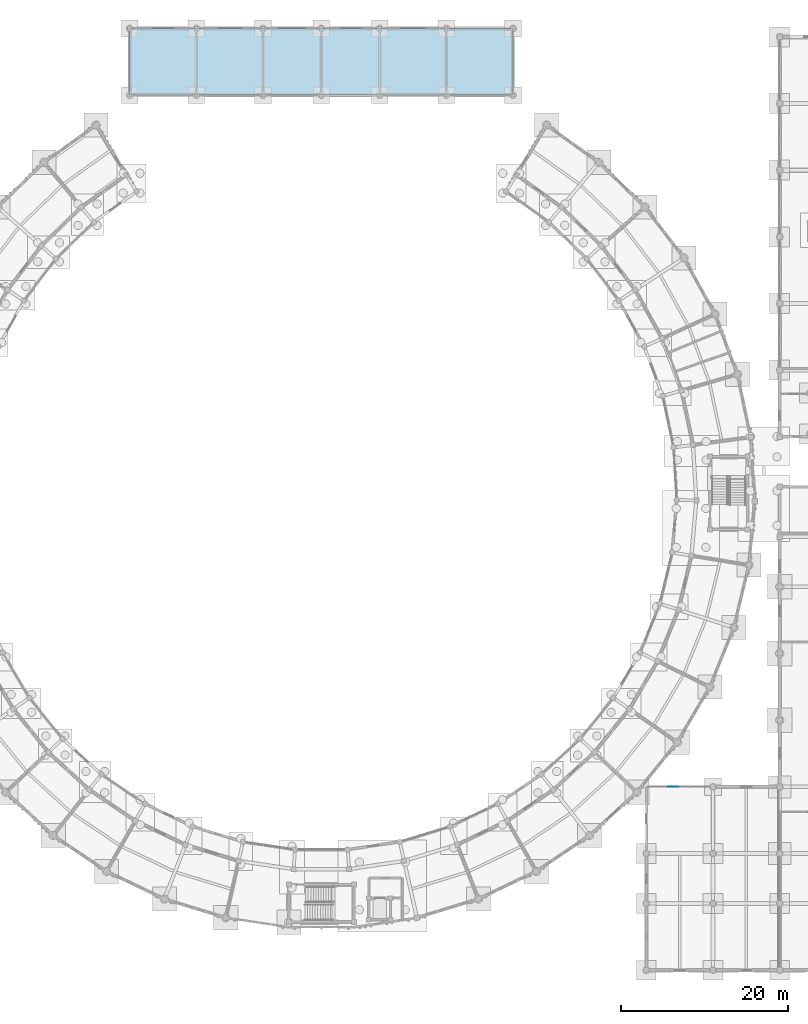
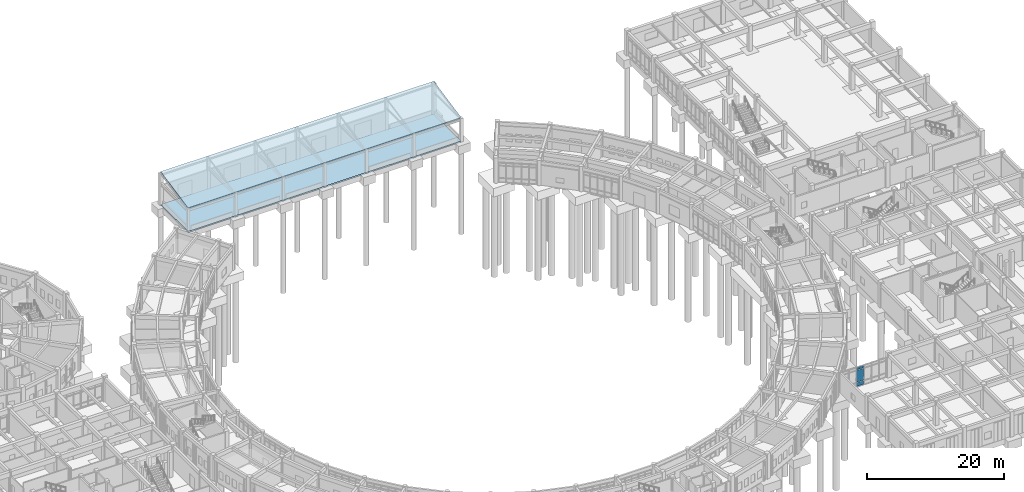
# One storey, part 111 of 153: 3 plates, 2 slabs, 1 element without a shape of its own.
"""IFC4 building model written with IfcOpenShell, lengths in metres."""

from ifc_helpers import new_model, si_unit, direction, frame, origin, origin_2d, place, context, subcontext, project, spatial, polyline, rectangle, outline, extrude, material, layer, layer_set, type_object, element, aggregate, save


model = new_model("IFC4")

# Units and contexts
model_context = context("Model", 3, precision=1e-05, world=origin(), true_north=direction((0.0, 1.0)))
body_context = subcontext(model_context, "Body", "Model", "MODEL_VIEW")
ifc_project = project(units=[si_unit("LENGTHUNIT", "METRE"), si_unit("AREAUNIT", "SQUARE_METRE"), si_unit("VOLUMEUNIT", "CUBIC_METRE"), si_unit("PLANEANGLEUNIT", "RADIAN"), si_unit("MASSUNIT", "GRAM", prefix="KILO")], contexts=[model_context])

# Site, building, storey
site_placement = place(None, origin())
site = spatial("IfcSite", under=ifc_project, at=site_placement, CompositionType="ELEMENT")
building_placement = place(site_placement, origin())
building = spatial("IfcBuilding", under=site, at=building_placement, Name="Celadon Cloister-Ring School", CompositionType="ELEMENT")
storey_placement = place(building_placement, origin())
storey = spatial("IfcBuildingStorey", under=building, at=storey_placement, Name="L00", CompositionType="ELEMENT", Elevation=0.0)

# Curtain wall, plates
ifc_material_1 = material(Name="Aluminium EN AW-6063 T6", Category="aluminium")
curtain_wall_type = type_object("IfcCurtainWallType", Name="CW-10", PredefinedType="USERDEFINED", material=ifc_material_1)
curtain_wall_placement = place(storey_placement, origin())
curtain_wall = element("IfcCurtainWall", 1, at=curtain_wall_placement, inside=storey, type_object=curtain_wall_type, Name="Curtain Wall 0189", ObjectType="CURTAIN WALL", PredefinedType="USERDEFINED")
ifc_material_2 = material(Name="Tempered laminated insulating glass", Category="glass")
ifc_layer_1 = layer(ifc_material_2, 0.02001953125)
ifc_layer_set_1 = layer_set([ifc_layer_1], Name="Tempered laminated insulating glass")
plate_type = type_object("IfcPlateType", Name="CPN-01", PredefinedType="CURTAIN_PANEL", material=ifc_layer_set_1)
plate_1_placement = place(storey_placement, frame((129.23291015625, 24.0, 0.090087890625), z_axis=(0.0, 0.0, 1.0), x_axis=(1.0, 0.0, 0.0)))
plate_1 = element("IfcPlate", 2, at=plate_1_placement, type_object=plate_type, Name="CW-10 panel 3.1", PredefinedType="CURTAIN_PANEL", context=body_context, shape_type="SweptSolid", body=[
    extrude(rectangle(XDim=1.174072265625, YDim=0.02001953125, at=origin_2d()), origin(), (0.0, 0.0, 1.0), 0.6650390625),
])
plate_2_placement = place(storey_placement, frame((129.23291015625, 24.0, 0.8447265625), z_axis=(0.0, 0.0, 1.0), x_axis=(1.0, 0.0, 0.0)))
plate_2 = element("IfcPlate", 3, at=plate_2_placement, type_object=plate_type, Name="CW-10 panel 3.2", PredefinedType="CURTAIN_PANEL", context=body_context, shape_type="SweptSolid", body=[
    extrude(rectangle(XDim=1.174072265625, YDim=0.02001953125, at=origin_2d()), origin(), (0.0, 0.0, 1.0), 2.110107421875),
])
plate_3_placement = place(storey_placement, frame((129.23291015625, 24.0, 3.044921875), z_axis=(0.0, 0.0, 1.0), x_axis=(1.0, 0.0, 0.0)))
plate_3 = element("IfcPlate", 4, at=plate_3_placement, type_object=plate_type, Name="CW-10 panel 3.3", PredefinedType="CURTAIN_PANEL", context=body_context, shape_type="SweptSolid", body=[
    extrude(rectangle(XDim=1.174072265625, YDim=0.02001953125, at=origin_2d()), origin(), (0.0, 0.0, 1.0), 0.4150390625),
])
aggregate(curtain_wall, [plate_1, plate_2, plate_3])

# Slabs
ifc_material_3 = material(Name="Concrete C35/45", Category="concrete")
ifc_layer_2 = layer(ifc_material_3, 0.239990234375)
ifc_layer_set_2 = layer_set([ifc_layer_2], Name="Concrete C35/45")
slab_type_1 = type_object("IfcSlabType", Name="SL-BSX", PredefinedType="BASESLAB", material=ifc_layer_set_2)
slab_1_placement = place(storey_placement, frame((0.0, 0.0, -0.239990234375)))
element("IfcSlab", 5, at=slab_1_placement, inside=storey, type_object=slab_type_1, Name="North Zaguan Street Arcade Slab 0078", PredefinedType="BASESLAB", context=body_context, shape_type="SweptSolid", body=[
    extrude(outline(polyline([(64.0, 107.0), (110.0, 107.0), (110.0, 115.0), (64.0, 115.0), (64.0, 107.0)])), origin(), (0.0, 0.0, 1.0), 0.239990234375),
])
ifc_material_4 = material(Name="Concrete C35/45", Category="concrete")
ifc_layer_3 = layer(ifc_material_4, 0.159912109375)
ifc_layer_set_3 = layer_set([ifc_layer_3], Name="Concrete C35/45")
slab_type_2 = type_object("IfcSlabType", Name="SL-RF4", PredefinedType="ROOF", material=ifc_layer_set_3)
slab_2_placement = place(storey_placement, frame((64.0, 107.0, 4.199951171875), z_axis=(0.0, -0.199662968581, 0.979864632986), x_axis=(1.0, 0.0, 0.0)))
element("IfcSlab", 6, at=slab_2_placement, inside=storey, type_object=slab_type_2, Name="North Zaguan Storm Canopy 0224", PredefinedType="ROOF", context=body_context, shape_type="SweptSolid", body=[
    extrude(outline(polyline([(0.0, 0.0), (46.0, 0.0), (46.0, 8.164393050515427), (0.0, 8.164393050515427), (0.0, 0.0)])), origin(), (0.0, 0.0, -1.0), 0.159912109375),
])

save(model, "model.ifc")
